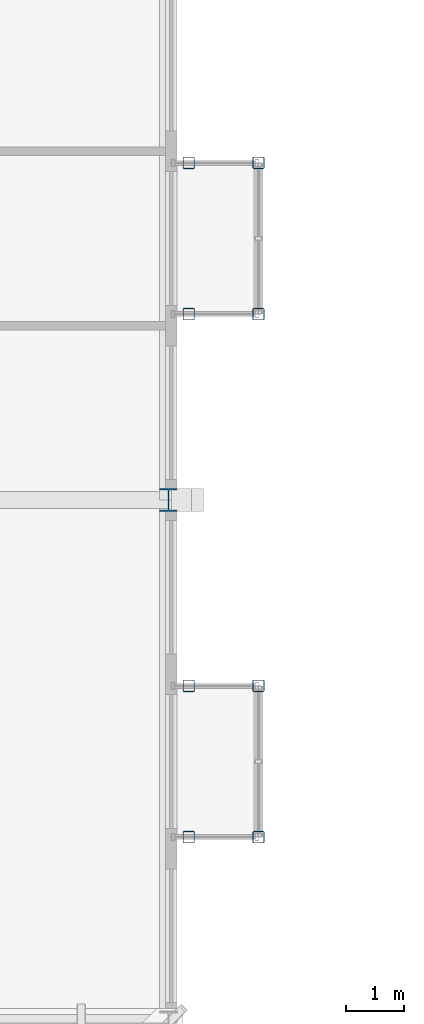
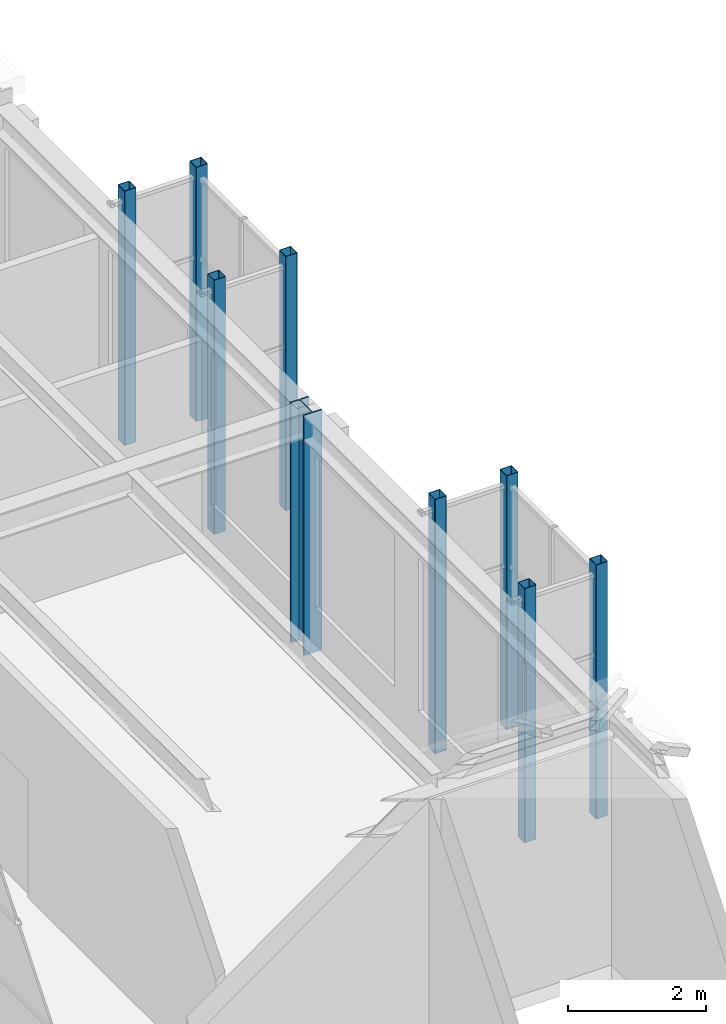
# One storey, part 5 of 149: 9 columns.
"""IFC4 building model written with IfcOpenShell, lengths in metres."""

import ifcopenshell
import ifcopenshell.guid

model = None  # the IFC model being written
_history = None  # IfcOwnerHistory: only IFC2X3 demands one
_inside = {}  # id of a spatial element -> (the spatial element, [elements in it])
_under = {}  # id of a project, library or spatial element -> (it, [spatial elements below it])
_declared = {}  # id of a project -> (the project, [libraries it declares])
_typed = {}  # id of a type object -> (the type object, [elements of that type])
_made_of = {}  # id of a material, layer set ... -> (it, [elements and type objects made of it])


def new_model(schema):
    """Start an empty IFC model of exactly this schema.

    Asked for "IFC4X3", IfcOpenShell would pick the latest addendum, in which some entities
    have other attributes; the version numbers below select the first issue.
    IFC2X3 requires an IfcOwnerHistory on every rooted entity: one is made here for all.
    """
    global model, _history
    if schema == "IFC4X3":
        model = ifcopenshell.file(schema_version=(4, 3, 0, 0))
    else:
        model = ifcopenshell.file(schema=schema)
    _inside.clear()
    _under.clear()
    _declared.clear()
    _typed.clear()
    _made_of.clear()
    _history = None
    if model.schema == "IFC2X3":
        org = make("IfcOrganization", Name="unknown")
        user = make(
            "IfcPersonAndOrganization",
            ThePerson=make("IfcPerson", FamilyName="unknown"),
            TheOrganization=org,
        )
        app = make(
            "IfcApplication",
            ApplicationDeveloper=org,
            Version="unknown",
            ApplicationFullName="unknown",
            ApplicationIdentifier="unknown",
        )
        _history = make(
            "IfcOwnerHistory",
            OwningUser=user,
            OwningApplication=app,
            ChangeAction="ADDED",
            CreationDate=0,
        )
    return model


def make(cls, **values):
    """One entity of the class cls with the attributes given. An attribute that is None is left unset."""
    return model.create_entity(
        cls, **{name: value for name, value in values.items() if value is not None}
    )


def rooted(cls, **values):
    """An entity with a GlobalId (a new one), such as an element, a storey or a relation."""
    return make(cls, GlobalId=ifcopenshell.guid.new(), OwnerHistory=_history, **values)


def si_unit(unit_type, name, prefix=None):
    """IfcSIUnit, for example si_unit("LENGTHUNIT", "METRE", prefix="MILLI")."""
    return make("IfcSIUnit", UnitType=unit_type, Prefix=prefix, Name=name)


def assignment(units):
    """IfcUnitAssignment: the units of a project."""
    return None if units is None else make("IfcUnitAssignment", Units=units)


def point(xyz):
    """IfcCartesianPoint."""
    return None if xyz is None else make("IfcCartesianPoint", Coordinates=xyz)


def direction(xyz):
    """IfcDirection."""
    return None if xyz is None else make("IfcDirection", DirectionRatios=xyz)


def frame(location, z_axis=None, x_axis=None):
    """IfcAxis2Placement3D, a coordinate frame: its origin and axes. An axis left out is left unset."""
    return make(
        "IfcAxis2Placement3D",
        Location=point(location),
        Axis=direction(z_axis),
        RefDirection=direction(x_axis),
    )


def frame_2d(location, x_axis=None):
    """IfcAxis2Placement2D, a coordinate frame in the plane: its origin and x axis."""
    return make(
        "IfcAxis2Placement2D", Location=point(location), RefDirection=direction(x_axis)
    )


def origin():
    """The frame at (0, 0, 0) with its axes left unset."""
    return frame((0.0, 0.0, 0.0))


def origin_2d():
    """The frame at (0, 0) in the plane with its x axis left unset."""
    return frame_2d((0.0, 0.0))


def place(relative_to, where):
    """IfcLocalPlacement: puts the frame where relative to a parent placement (None: the world)."""
    return make(
        "IfcLocalPlacement", PlacementRelTo=relative_to, RelativePlacement=where
    )


def context(
    kind, dimensions, precision=None, world=None, true_north=None, identifier=None
):
    """IfcGeometricRepresentationContext, for example the 3D "Model" context."""
    return make(
        "IfcGeometricRepresentationContext",
        ContextIdentifier=identifier,
        ContextType=kind,
        CoordinateSpaceDimension=dimensions,
        Precision=precision,
        WorldCoordinateSystem=world,
        TrueNorth=true_north,
    )


def subcontext(parent, identifier, kind, view, scale=None):
    """IfcGeometricRepresentationSubContext, for example "Body" below "Model"."""
    return make(
        "IfcGeometricRepresentationSubContext",
        ContextIdentifier=identifier,
        ContextType=kind,
        ParentContext=parent,
        TargetScale=scale,
        TargetView=view,
    )


def project(units=None, contexts=None):
    """IfcProject with its units and contexts."""
    return rooted(
        "IfcProject",
        Name="project",
        RepresentationContexts=contexts,
        UnitsInContext=assignment(units),
    )


def spatial(cls, under=None, at=None, **own):
    """A site, building, storey or space (cls), placed at a placement, below another one or the project."""
    s = rooted(cls, ObjectPlacement=at, **own)
    if under is not None:
        _under.setdefault(under.id(), (under, []))[1].append(s)
    return s


def profile(cls, at=None, kind="AREA", **sizes):
    """A parametric profile (cls). Its sizes go by their IFC names, for example OverallWidth=200.0."""
    return make(cls, ProfileType=kind, Position=at, **sizes)


def hollow_rectangle(**sizes):
    """IfcRectangleHollowProfileDef."""
    return profile("IfcRectangleHollowProfileDef", **sizes)


def i_section(**sizes):
    """IfcIShapeProfileDef."""
    return profile("IfcIShapeProfileDef", **sizes)


def extrude(swept, where, along, depth):
    """IfcExtrudedAreaSolid: the profile swept, set in the frame where, extruded along a direction by depth."""
    return make(
        "IfcExtrudedAreaSolid",
        SweptArea=swept,
        Position=where,
        ExtrudedDirection=direction(along),
        Depth=depth,
    )


def shape(context_of_items, identifier, shape_type, items):
    """IfcShapeRepresentation: the items that make up one representation, for example the "Body"."""
    return make(
        "IfcShapeRepresentation",
        ContextOfItems=context_of_items,
        RepresentationIdentifier=identifier,
        RepresentationType=shape_type,
        Items=items,
    )


def material(Name=None, Category=None):
    """IfcMaterial."""
    return make("IfcMaterial", Name=Name, Category=Category)


def material_profile(
    of_material, cross_section, Name=None, Category=None, Priority=None
):
    """IfcMaterialProfile: a cross section and its material."""
    return make(
        "IfcMaterialProfile",
        Name=Name,
        Material=of_material,
        Profile=cross_section,
        Priority=Priority,
        Category=Category,
    )


def profile_set(profiles, Name=None, composite=None):
    """IfcMaterialProfileSet."""
    return make(
        "IfcMaterialProfileSet",
        Name=Name,
        MaterialProfiles=profiles,
        CompositeProfile=composite,
    )


def made_of(thing, what):
    """Note that an element or type object is made of a material, layer set ...; save() writes the relation."""
    if what is not None:
        _made_of.setdefault(what.id(), (what, []))[1].append(thing)
    return thing


def type_object(cls, material=None, **own):
    """A type object (cls), such as IfcWallType, which elements share."""
    return made_of(rooted(cls, **own), material)


def element(
    cls,
    number,
    at=None,
    inside=None,
    cuts=None,
    type_object=None,
    material=None,
    context=None,
    identifier="Body",
    shape_type=None,
    held_by="IfcProductDefinitionShape",
    body=None,
    shapes=None,
    **own,
):
    """One element of the class cls, such as IfcWall. Its Tag is "e" and its number.

    at: its placement. inside: the storey or other place that contains it. cuts: it is an
    opening in that element (IfcRelVoidsElement). A single representation is given by context,
    identifier, shape_type and body (its items); several are given by shapes. held_by: the class
    of the entity that holds the representations. save() writes the other relations.
    """
    e = rooted(cls, Tag="e%d" % number, ObjectPlacement=at, **own)
    if body is not None:
        shapes = [shape(context, identifier, shape_type, body)]
    if shapes is not None:
        e.Representation = make(held_by, Representations=shapes)
    if inside is not None:
        _inside.setdefault(inside.id(), (inside, []))[1].append(e)
    if cuts is not None:
        rooted(
            "IfcRelVoidsElement", RelatingBuildingElement=cuts, RelatedOpeningElement=e
        )
    if type_object is not None:
        _typed.setdefault(type_object.id(), (type_object, []))[1].append(e)
    return made_of(e, material)


def aggregate(whole, parts):
    """IfcRelAggregates: a whole, such as a stair, and the parts it consists of."""
    return rooted("IfcRelAggregates", RelatingObject=whole, RelatedObjects=parts)


def save(model, path):
    """Write the relations noted so far, then the file.

    IfcRelAggregates (storeys below a building ...), IfcRelContainedInSpatialStructure (elements
    in a storey), IfcRelDefinesByType, IfcRelAssociatesMaterial and IfcRelDeclares: one each for
    every whole, place, type object, material and project.
    """
    for whole, parts in _under.values():
        aggregate(whole, parts)
    for where, things in _inside.values():
        rooted(
            "IfcRelContainedInSpatialStructure",
            RelatedElements=things,
            RelatingStructure=where,
        )
    for kind, things in _typed.values():
        rooted("IfcRelDefinesByType", RelatedObjects=things, RelatingType=kind)
    for what, things in _made_of.values():
        rooted("IfcRelAssociatesMaterial", RelatedObjects=things, RelatingMaterial=what)
    for by, libraries in _declared.values():
        rooted("IfcRelDeclares", RelatingContext=by, RelatedDefinitions=libraries)
    model.write(path)


model = new_model("IFC4")

# Units and contexts
model_context = context("Model", 3, precision=1e-05, world=origin(), true_north=direction((0.0, 1.0)))
body_context = subcontext(model_context, "Body", "Model", "MODEL_VIEW")
ifc_project = project(units=[si_unit("LENGTHUNIT", "METRE"), si_unit("AREAUNIT", "SQUARE_METRE"), si_unit("VOLUMEUNIT", "CUBIC_METRE"), si_unit("PLANEANGLEUNIT", "RADIAN"), si_unit("MASSUNIT", "GRAM", prefix="KILO")], contexts=[model_context])

# Site, building, storey
site_placement = place(None, origin())
site = spatial("IfcSite", under=ifc_project, at=site_placement, CompositionType="ELEMENT")
building_placement = place(site_placement, origin())
building = spatial("IfcBuilding", under=site, at=building_placement, Name="Kallimachos Central Library", CompositionType="ELEMENT")
storey_placement = place(building_placement, frame((0.0, 0.0, 9.89990234375)))
storey = spatial("IfcBuildingStorey", under=building, at=storey_placement, Name="L02", CompositionType="ELEMENT", Elevation=9.89990234375)

# Columns
ifc_material_1 = material(Name="Steel S355J2", Category="steel")
ifc_material_profile_1 = material_profile(ifc_material_1, i_section(OverallWidth=0.300048828125, OverallDepth=0.39990234375, WebThickness=0.013427734375, FlangeThickness=0.02392578125, FilletRadius=0.027099609375, at=origin_2d()), Name="HEB 400")
ifc_profile_set_1 = profile_set([ifc_material_profile_1], Name="Steel S355J2")
column_type_1 = type_object("IfcColumnType", Name="HEB 400 column", PredefinedType="COLUMN", material=ifc_profile_set_1)
column_placement = place(storey_placement, frame((110.5, 66.0, 0.0), z_axis=(0.0, 0.0, 1.0), x_axis=(1.0, 0.0, 0.0)))
element("IfcColumn", 1, at=column_placement, inside=storey, type_object=column_type_1, Name="V4-COL-L02-006", PredefinedType="COLUMN", context=body_context, shape_type="SweptSolid", body=[
    extrude(i_section(OverallWidth=0.300048828125, OverallDepth=0.39990234375, WebThickness=0.013427734375, FlangeThickness=0.02392578125, FilletRadius=0.027099609375, at=origin_2d()), origin(), (0.0, 0.0, 1.0), 4.25),
])
ifc_material_2 = material(Name="Steel S355J2H", Category="steel")
ifc_material_profile_2 = material_profile(ifc_material_2, hollow_rectangle(XDim=0.199951171875, YDim=0.199951171875, WallThickness=0.010009765625, InnerFilletRadius=0.010009765625, OuterFilletRadius=0.014892578125, at=origin_2d()), Name="SHS 200x200x10")
ifc_profile_set_2 = profile_set([ifc_material_profile_2], Name="Steel S355J2H")
column_type_2 = type_object("IfcColumnType", Name="SHS 200x200x10 column", PredefinedType="COLUMN", material=ifc_profile_set_2)
for number, where, z_axis, x_axis, name in (
    (2, (110.85009765625, 60.199951171875, 0.0), (0.0, 0.0, 1.0), (1.0, 0.0, 0.0), "Tribune bay E1 column 1"),
    (3, (110.85009765625, 62.800048828125, 0.0), (0.0, 0.0, 1.0), (1.0, 0.0, 0.0), "Tribune bay E1 column 2"),
    (4, (112.050048828125, 60.199951171875, 0.0), (0.0, 0.0, 1.0), (1.0, 0.0, 0.0), "Tribune bay E1 column 3"),
    (5, (112.050048828125, 62.800048828125, 0.0), (0.0, 0.0, 1.0), (1.0, 0.0, 0.0), "Tribune bay E1 column 4"),
    (6, (110.85009765625, 69.199951171875, 0.0), (0.0, 0.0, 1.0), (1.0, 0.0, 0.0), "Tribune bay E2 column 1"),
    (7, (110.85009765625, 71.800048828125, 0.0), (0.0, 0.0, 1.0), (1.0, 0.0, 0.0), "Tribune bay E2 column 2"),
    (8, (112.050048828125, 69.199951171875, 0.0), (0.0, 0.0, 1.0), (1.0, 0.0, 0.0), "Tribune bay E2 column 3"),
    (9, (112.050048828125, 71.800048828125, 0.0), (0.0, 0.0, 1.0), (1.0, 0.0, 0.0), "Tribune bay E2 column 4"),
):
    element("IfcColumn", number, at=place(storey_placement, frame(where, z_axis=z_axis, x_axis=x_axis)), inside=storey, type_object=column_type_2, Name=name, PredefinedType="COLUMN", context=body_context, shape_type="SweptSolid", body=[
        extrude(hollow_rectangle(XDim=0.199951171875, YDim=0.199951171875, WallThickness=0.010009765625, InnerFilletRadius=0.010009765625, OuterFilletRadius=0.014892578125, at=origin_2d()), origin(), (0.0, 0.0, 1.0), 4.5),
    ])

save(model, "model.ifc")
